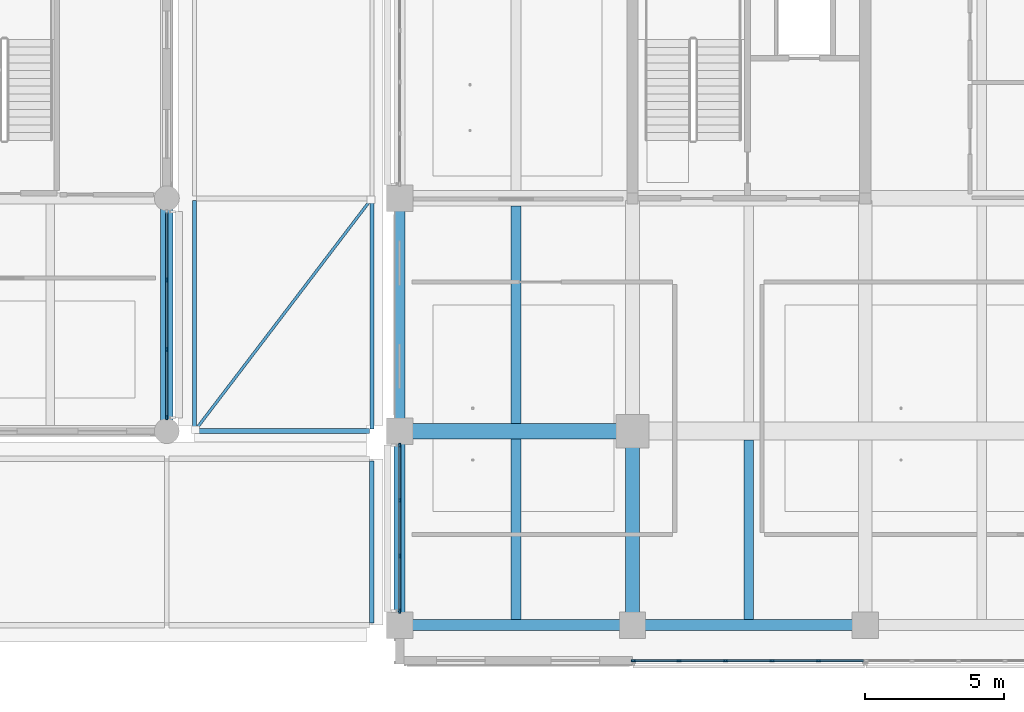
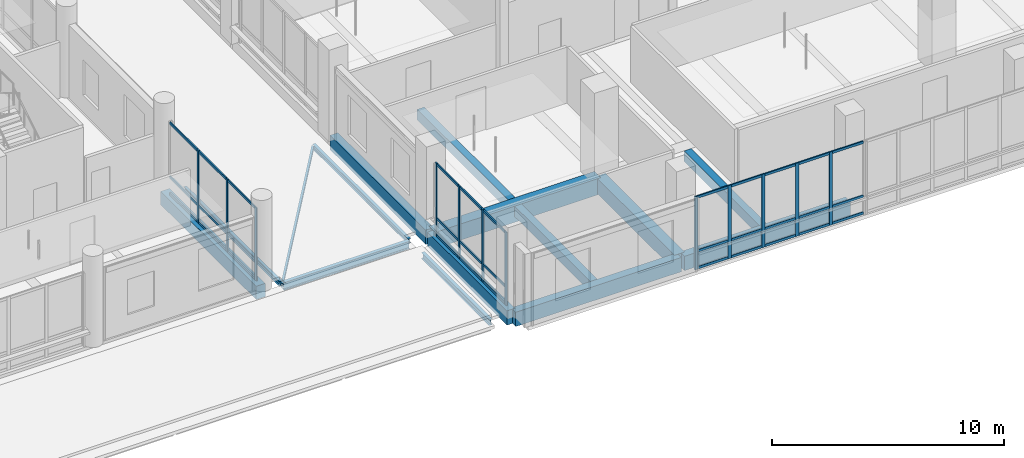
# One storey, part 8 of 128: 46 members, 14 beams, 3 elements without a shape of their own.
"""IFC4 building model written with IfcOpenShell, lengths in metres."""

from ifc_helpers import new_model, si_unit, direction, frame, origin, origin_2d, place, context, subcontext, project, spatial, rectangle, hollow_rectangle, i_section, extrude, material, layer, layer_set, material_profile, profile_set, type_object, element, aggregate, save


model = new_model("IFC4")

# Units and contexts
model_context = context("Model", 3, precision=1e-05, world=origin(), true_north=direction((0.0, 1.0)))
body_context = subcontext(model_context, "Body", "Model", "MODEL_VIEW")
ifc_project = project(units=[si_unit("LENGTHUNIT", "METRE"), si_unit("AREAUNIT", "SQUARE_METRE"), si_unit("VOLUMEUNIT", "CUBIC_METRE"), si_unit("PLANEANGLEUNIT", "RADIAN"), si_unit("MASSUNIT", "GRAM", prefix="KILO")], contexts=[model_context])

# Site, building, storey
site_placement = place(None, origin())
site = spatial("IfcSite", under=ifc_project, at=site_placement, CompositionType="ELEMENT")
building_placement = place(site_placement, origin())
building = spatial("IfcBuilding", under=site, at=building_placement, Name="Telukmera Botanical Conservatory", CompositionType="ELEMENT")
storey_placement = place(building_placement, frame((0.0, 0.0, 5.39990234375)))
storey = spatial("IfcBuildingStorey", under=building, at=storey_placement, Name="L01", CompositionType="ELEMENT", Elevation=5.39990234375)

# Beams
ifc_material_1 = material(Name="Concrete C40/50", Category="concrete")
ifc_material_profile_1 = material_profile(ifc_material_1, rectangle(XDim=0.449951171875, YDim=0.699951171875, at=origin_2d()), Name="RC 450x700")
ifc_profile_set_1 = profile_set([ifc_material_profile_1], Name="Concrete C40/50")
beam_type_1 = type_object("IfcBeamType", Name="Beam_B15", PredefinedType="BEAM", material=ifc_profile_set_1)
beam_1_placement = place(storey_placement, frame((42.0, 17.679931640625, -0.349853515625), z_axis=(0.0, 1.0, 0.0), x_axis=(-1.0, 0.0, 0.0)))
element("IfcBeam", 1, at=beam_1_placement, inside=storey, type_object=beam_type_1, Name="Visitor Wing Transverse Beam L01", PredefinedType="BEAM", context=body_context, shape_type="SweptSolid", body=[
    extrude(rectangle(XDim=0.449951171875, YDim=0.699951171875, at=origin_2d()), origin(), (0.0, 0.0, 1.0), 8.239990234375),
])
ifc_material_profile_2 = material_profile(ifc_material_1, rectangle(XDim=0.35009765625, YDim=0.550048828125, at=origin_2d()), Name="RC 350x550")
ifc_profile_set_2 = profile_set([ifc_material_profile_2], Name="Concrete C40/50")
beam_type_2 = type_object("IfcBeamType", Name="Beam_B21", PredefinedType="JOIST", material=ifc_profile_set_2)
beam_2_placement = place(storey_placement, frame((54.60009765625, 10.800048828125, -0.27490234375), z_axis=(0.0, 1.0, 0.0), x_axis=(-1.0, 0.0, 0.0)))
element("IfcBeam", 2, at=beam_2_placement, inside=storey, type_object=beam_type_2, Name="Tower Secondary Floor Joist L01", PredefinedType="JOIST", context=body_context, shape_type="SweptSolid", body=[
    extrude(rectangle(XDim=0.35009765625, YDim=0.550048828125, at=origin_2d()), origin(), (0.0, 0.0, 1.0), 6.52490234375),
])
beam_3_placement = place(storey_placement, frame((54.60009765625, 17.875, -0.27490234375), z_axis=(0.0, 1.0, 0.0), x_axis=(-1.0, 0.0, 0.0)))
element("IfcBeam", 3, at=beam_3_placement, inside=storey, type_object=beam_type_2, Name="Tower Secondary Floor Joist L01", PredefinedType="JOIST", context=body_context, shape_type="SweptSolid", body=[
    extrude(rectangle(XDim=0.35009765625, YDim=0.550048828125, at=origin_2d()), origin(), (0.0, 0.0, 1.0), 7.85009765625),
])
beam_4_placement = place(storey_placement, frame((63.0, 10.800048828125, -0.27490234375), z_axis=(0.0, 1.0, 0.0), x_axis=(-1.0, 0.0, 0.0)))
element("IfcBeam", 4, at=beam_4_placement, inside=storey, type_object=beam_type_2, Name="Tower Secondary Floor Joist L01", PredefinedType="JOIST", context=body_context, shape_type="SweptSolid", body=[
    extrude(rectangle(XDim=0.35009765625, YDim=0.550048828125, at=origin_2d()), origin(), (0.0, 0.0, 1.0), 6.474853515625),
])
ifc_material_profile_3 = material_profile(ifc_material_1, rectangle(XDim=0.550048828125, YDim=0.85009765625, at=origin_2d()), Name="RC 550x850")
ifc_profile_set_3 = profile_set([ifc_material_profile_3], Name="Concrete C40/50")
beam_type_3 = type_object("IfcBeamType", Name="Beam_B4", PredefinedType="BEAM", material=ifc_profile_set_3)
beam_5_placement = place(storey_placement, frame((50.47998046875, 17.60009765625, -0.4248046875), z_axis=(1.0, 0.0, 0.0), x_axis=(0.0, 1.0, 0.0)))
element("IfcBeam", 5, at=beam_5_placement, inside=storey, type_object=beam_type_3, Name="Tower Grid Beam L01", PredefinedType="BEAM", context=body_context, shape_type="SweptSolid", body=[
    extrude(rectangle(XDim=0.550048828125, YDim=0.85009765625, at=origin_2d()), origin(), (0.0, 0.0, 1.0), 8.239990234375),
])
ifc_material_profile_4 = material_profile(ifc_material_1, rectangle(XDim=0.5, YDim=0.800048828125, at=origin_2d()), Name="RC 500x800")
ifc_profile_set_4 = profile_set([ifc_material_profile_4], Name="Concrete C40/50")
beam_type_4 = type_object("IfcBeamType", Name="Beam_B5", PredefinedType="BEAM", material=ifc_profile_set_4)
beam_6_placement = place(storey_placement, frame((58.800048828125, 10.679931640625, -0.39990234375), z_axis=(0.0, 1.0, 0.0), x_axis=(-1.0, 0.0, 0.0)))
element("IfcBeam", 6, at=beam_6_placement, inside=storey, type_object=beam_type_4, Name="Tower Transverse Beam L01", PredefinedType="BEAM", context=body_context, shape_type="SweptSolid", body=[
    extrude(rectangle(XDim=0.5, YDim=0.800048828125, at=origin_2d()), origin(), (0.0, 0.0, 1.0), 6.840087890625),
])
ifc_material_2 = material(Name="Steel S355", Category="steel")
ifc_material_profile_5 = material_profile(ifc_material_2, i_section(OverallWidth=0.1787109375, OverallDepth=0.409423828125, WebThickness=0.0087890625, FlangeThickness=0.014404296875, FilletRadius=0.01025390625, at=origin_2d()), Name="UB 406x178x67")
ifc_profile_set_5 = profile_set([ifc_material_profile_5], Name="Steel S355")
beam_type_5 = type_object("IfcBeamType", Name="Beam_SB4", PredefinedType="BEAM", material=ifc_profile_set_5)
beam_7_placement = place(storey_placement, frame((43.080078125, 17.60009765625, -0.364501953125), z_axis=(1.0, 0.0, 0.0), x_axis=(0.0, 1.0, 0.0)))
element("IfcBeam", 7, at=beam_7_placement, inside=storey, type_object=beam_type_5, Name="Canopy Steel Girder west_arcade", PredefinedType="BEAM", context=body_context, shape_type="SweptSolid", body=[
    extrude(i_section(OverallWidth=0.1787109375, OverallDepth=0.409423828125, WebThickness=0.0087890625, FlangeThickness=0.014404296875, FilletRadius=0.01025390625, at=origin_2d()), origin(), (0.0, 0.0, 1.0), 6.239990234375),
])
ifc_material_profile_6 = material_profile(ifc_material_2, i_section(OverallWidth=0.165771484375, OverallDepth=0.306640625, WebThickness=0.006591796875, FlangeThickness=0.01171875, FilletRadius=0.0087890625, at=origin_2d()), Name="UB 305x165x46")
ifc_profile_set_6 = profile_set([ifc_material_profile_6], Name="Steel S355")
beam_type_6 = type_object("IfcBeamType", Name="Beam_SB6", PredefinedType="JOIST", material=ifc_profile_set_6)
beam_8_placement = place(storey_placement, frame((49.39990234375, 10.679931640625, -0.313232421875), z_axis=(0.0, 1.0, 0.0), x_axis=(-1.0, 0.0, 0.0)))
element("IfcBeam", 8, at=beam_8_placement, inside=storey, type_object=beam_type_6, Name="Canopy Steel Purlin forecourt", PredefinedType="JOIST", context=body_context, shape_type="SweptSolid", body=[
    extrude(i_section(OverallWidth=0.165771484375, OverallDepth=0.306640625, WebThickness=0.006591796875, FlangeThickness=0.01171875, FilletRadius=0.0087890625, at=origin_2d()), origin(), (0.0, 0.0, 1.0), 5.840087890625),
])
ifc_material_profile_7 = material_profile(ifc_material_2, i_section(OverallWidth=0.146484375, OverallDepth=0.256103515625, WebThickness=0.00634765625, FlangeThickness=0.010986328125, FilletRadius=0.007568359375, at=origin_2d()), Name="UB 254x146x37")
ifc_profile_set_7 = profile_set([ifc_material_profile_7], Name="Steel S355")
beam_type_7 = type_object("IfcBeamType", Name="Beam_SB7", PredefinedType="JOIST", material=ifc_profile_set_7)
for number, where, z_axis, x_axis, name in (
    (9, (43.0, 17.679931640625, -0.287841796875), (0.0, 1.0, 0.0), (-1.0, 0.0, 0.0), "Canopy Steel Purlin west_arcade"),
    (10, (49.39990234375, 17.679931640625, -0.287841796875), (0.0, 1.0, 0.0), (-1.0, 0.0, 0.0), "Canopy Steel Purlin west_arcade"),
):
    element("IfcBeam", number, at=place(storey_placement, frame(where, z_axis=z_axis, x_axis=x_axis)), inside=storey, type_object=beam_type_7, Name=name, PredefinedType="JOIST", context=body_context, shape_type="SweptSolid", body=[
        extrude(i_section(OverallWidth=0.146484375, OverallDepth=0.256103515625, WebThickness=0.00634765625, FlangeThickness=0.010986328125, FilletRadius=0.007568359375, at=origin_2d()), origin(), (0.0, 0.0, 1.0), 8.239990234375),
    ])
ifc_material_3 = material(Name="Precast concrete C40/50", Category="concrete")
ifc_material_profile_8 = material_profile(ifc_material_3, rectangle(XDim=0.39990234375, YDim=0.75, at=origin_2d()), Name="PC 400x750")
ifc_profile_set_8 = profile_set([ifc_material_profile_8], Name="Precast concrete C40/50")
beam_type_8 = type_object("IfcBeamType", Name="Beam_SP1", PredefinedType="SPANDREL", material=ifc_profile_set_8)
beam_9_placement = place(storey_placement, frame((50.47998046875, 10.60009765625, -0.375), z_axis=(1.0, 0.0, 0.0), x_axis=(0.0, 1.0, 0.0)))
element("IfcBeam", 11, at=beam_9_placement, inside=storey, type_object=beam_type_8, Name="Tower Grid Beam L01", PredefinedType="SPANDREL", context=body_context, shape_type="SweptSolid", body=[
    extrude(rectangle(XDim=0.39990234375, YDim=0.75, at=origin_2d()), origin(), (0.0, 0.0, 1.0), 8.239990234375),
])
beam_10_placement = place(storey_placement, frame((58.8798828125, 10.60009765625, -0.375), z_axis=(1.0, 0.0, 0.0), x_axis=(0.0, 1.0, 0.0)))
element("IfcBeam", 12, at=beam_10_placement, inside=storey, type_object=beam_type_8, Name="Tower Grid Beam L01", PredefinedType="SPANDREL", context=body_context, shape_type="SweptSolid", body=[
    extrude(rectangle(XDim=0.39990234375, YDim=0.75, at=origin_2d()), origin(), (0.0, 0.0, 1.0), 8.240234375),
])
beam_11_placement = place(storey_placement, frame((50.39990234375, 10.679931640625, -0.375), z_axis=(0.0, 1.0, 0.0), x_axis=(-1.0, 0.0, 0.0)))
element("IfcBeam", 13, at=beam_11_placement, inside=storey, type_object=beam_type_8, Name="Tower Transverse Beam L01", PredefinedType="SPANDREL", context=body_context, shape_type="SweptSolid", body=[
    extrude(rectangle(XDim=0.39990234375, YDim=0.75, at=origin_2d()), origin(), (0.0, 0.0, 1.0), 6.840087890625),
])
beam_12_placement = place(storey_placement, frame((50.39990234375, 17.679931640625, -0.375), z_axis=(0.0, 1.0, 0.0), x_axis=(-1.0, 0.0, 0.0)))
element("IfcBeam", 14, at=beam_12_placement, inside=storey, type_object=beam_type_8, Name="Tower Transverse Beam L01", PredefinedType="SPANDREL", context=body_context, shape_type="SweptSolid", body=[
    extrude(rectangle(XDim=0.39990234375, YDim=0.75, at=origin_2d()), origin(), (0.0, 0.0, 1.0), 8.239990234375),
])

# Curtain wall, members
ifc_material_4 = material(Name="Anodised aluminium 6063-T6", Category="aluminium")
ifc_layer_1 = layer(ifc_material_4, 0.179931640625)
ifc_layer_set_1 = layer_set([ifc_layer_1], Name="Anodised aluminium 6063-T6")
curtain_wall_type_1 = type_object("IfcCurtainWallType", Name="Visitor Gallery Second Floor Curtain Wall 2400 Mod", PredefinedType="USERDEFINED", material=ifc_layer_set_1)
curtain_wall_1_placement = place(storey_placement, origin())
curtain_wall_1 = element("IfcCurtainWall", 15, at=curtain_wall_1_placement, inside=storey, type_object=curtain_wall_type_1, Name="Unitised Curtain Wall CW09 V3:L01:E1", ObjectType="UNITISED CURTAIN WALL", PredefinedType="USERDEFINED")
ifc_material_profile_9 = material_profile(ifc_material_4, rectangle(XDim=0.06494140625, YDim=0.159912109375, at=origin_2d()), Name="ALU MULL 65x160")
ifc_profile_set_9 = profile_set([ifc_material_profile_9], Name="Anodised aluminium 6063-T6")
member_type_1 = type_object("IfcMemberType", Name="Curtain Wall Extruded Mullion 65x160", PredefinedType="MULLION", material=ifc_profile_set_9)
member_1_placement = place(storey_placement, frame((42.0, 18.08447265625, 0.0), z_axis=(0.0, 0.0, 1.0), x_axis=(-1.0, 0.0, 0.0)))
member_1 = element("IfcMember", 16, at=member_1_placement, type_object=member_type_1, Name="CW09 mullion 1", PredefinedType="MULLION", context=body_context, shape_type="SweptSolid", body=[
    extrude(rectangle(XDim=0.06494140625, YDim=0.159912109375, at=origin_2d()), origin(), (0.0, 0.0, 1.0), 3.85009765625),
])
member_2_placement = place(storey_placement, frame((42.0, 20.55078125, 0.0), z_axis=(0.0, 0.0, 1.0), x_axis=(-1.0, 0.0, 0.0)))
member_2 = element("IfcMember", 17, at=member_2_placement, type_object=member_type_1, Name="CW09 mullion 2", PredefinedType="MULLION", context=body_context, shape_type="SweptSolid", body=[
    extrude(rectangle(XDim=0.06494140625, YDim=0.159912109375, at=origin_2d()), origin(), (0.0, 0.0, 1.0), 3.85009765625),
])
member_3_placement = place(storey_placement, frame((42.0, 23.04931640625, 0.0), z_axis=(0.0, 0.0, 1.0), x_axis=(-1.0, 0.0, 0.0)))
member_3 = element("IfcMember", 18, at=member_3_placement, type_object=member_type_1, Name="CW09 mullion 3", PredefinedType="MULLION", context=body_context, shape_type="SweptSolid", body=[
    extrude(rectangle(XDim=0.06494140625, YDim=0.159912109375, at=origin_2d()), origin(), (0.0, 0.0, 1.0), 3.85009765625),
])

ifc_layer_2 = layer(ifc_material_4, 0.179931640625)
ifc_layer_set_2 = layer_set([ifc_layer_2], Name="Anodised aluminium 6063-T6")
curtain_wall_type_2 = type_object("IfcCurtainWallType", Name="Tower Reference Library Curtain Wall", PredefinedType="USERDEFINED", material=ifc_layer_set_2)
curtain_wall_2_placement = place(storey_placement, origin())
curtain_wall_2 = element("IfcCurtainWall", 19, at=curtain_wall_2_placement, inside=storey, type_object=curtain_wall_type_2, Name="Unitised Curtain Wall CW13 V4:L01:S2", ObjectType="UNITISED CURTAIN WALL", PredefinedType="USERDEFINED")
member_4_placement = place(storey_placement, frame((58.83447265625, 9.320068359375, 0.0), z_axis=(0.0, 0.0, 1.0), x_axis=(0.0, 1.0, 0.0)))
member_4 = element("IfcMember", 20, at=member_4_placement, type_object=member_type_1, Name="CW13 mullion 1", PredefinedType="MULLION", context=body_context, shape_type="SweptSolid", body=[
    extrude(rectangle(XDim=0.06494140625, YDim=0.159912109375, at=origin_2d()), origin(), (0.0, 0.0, 1.0), 3.85009765625),
])
member_5_placement = place(storey_placement, frame((60.481201171875, 9.320068359375, 0.0), z_axis=(0.0, 0.0, 1.0), x_axis=(0.0, 1.0, 0.0)))
member_5 = element("IfcMember", 21, at=member_5_placement, type_object=member_type_1, Name="CW13 mullion 2", PredefinedType="MULLION", context=body_context, shape_type="SweptSolid", body=[
    extrude(rectangle(XDim=0.06494140625, YDim=0.159912109375, at=origin_2d()), origin(), (0.0, 0.0, 1.0), 3.85009765625),
])
member_6_placement = place(storey_placement, frame((62.160400390625, 9.320068359375, 0.0), z_axis=(0.0, 0.0, 1.0), x_axis=(0.0, 1.0, 0.0)))
member_6 = element("IfcMember", 22, at=member_6_placement, type_object=member_type_1, Name="CW13 mullion 3", PredefinedType="MULLION", context=body_context, shape_type="SweptSolid", body=[
    extrude(rectangle(XDim=0.06494140625, YDim=0.159912109375, at=origin_2d()), origin(), (0.0, 0.0, 1.0), 3.85009765625),
])
member_7_placement = place(storey_placement, frame((63.839599609375, 9.320068359375, 0.0), z_axis=(0.0, 0.0, 1.0), x_axis=(0.0, 1.0, 0.0)))
member_7 = element("IfcMember", 23, at=member_7_placement, type_object=member_type_1, Name="CW13 mullion 4", PredefinedType="MULLION", context=body_context, shape_type="SweptSolid", body=[
    extrude(rectangle(XDim=0.06494140625, YDim=0.159912109375, at=origin_2d()), origin(), (0.0, 0.0, 1.0), 3.85009765625),
])
member_8_placement = place(storey_placement, frame((65.518798828125, 9.320068359375, 0.0), z_axis=(0.0, 0.0, 1.0), x_axis=(0.0, 1.0, 0.0)))
member_8 = element("IfcMember", 24, at=member_8_placement, type_object=member_type_1, Name="CW13 mullion 5", PredefinedType="MULLION", context=body_context, shape_type="SweptSolid", body=[
    extrude(rectangle(XDim=0.06494140625, YDim=0.159912109375, at=origin_2d()), origin(), (0.0, 0.0, 1.0), 3.85009765625),
])

curtain_wall_3_placement = place(storey_placement, origin())
curtain_wall_3 = element("IfcCurtainWall", 25, at=curtain_wall_3_placement, inside=storey, type_object=curtain_wall_type_2, Name="Unitised Curtain Wall CW13 V4:L01:W1", ObjectType="UNITISED CURTAIN WALL", PredefinedType="USERDEFINED")
member_9_placement = place(storey_placement, frame((50.39990234375, 11.109619140625, 0.0), z_axis=(0.0, 0.0, 1.0), x_axis=(-1.0, 0.0, 0.0)))
member_9 = element("IfcMember", 26, at=member_9_placement, type_object=member_type_1, Name="CW13 mullion 1", PredefinedType="MULLION", context=body_context, shape_type="SweptSolid", body=[
    extrude(rectangle(XDim=0.06494140625, YDim=0.159912109375, at=origin_2d()), origin(), (0.0, 0.0, 1.0), 3.85009765625),
])
member_10_placement = place(storey_placement, frame((50.39990234375, 13.09228515625, 0.0), z_axis=(0.0, 0.0, 1.0), x_axis=(-1.0, 0.0, 0.0)))
member_10 = element("IfcMember", 27, at=member_10_placement, type_object=member_type_1, Name="CW13 mullion 2", PredefinedType="MULLION", context=body_context, shape_type="SweptSolid", body=[
    extrude(rectangle(XDim=0.06494140625, YDim=0.159912109375, at=origin_2d()), origin(), (0.0, 0.0, 1.0), 3.85009765625),
])
member_11_placement = place(storey_placement, frame((50.39990234375, 15.107666015625, 0.0), z_axis=(0.0, 0.0, 1.0), x_axis=(-1.0, 0.0, 0.0)))
member_11 = element("IfcMember", 28, at=member_11_placement, type_object=member_type_1, Name="CW13 mullion 3", PredefinedType="MULLION", context=body_context, shape_type="SweptSolid", body=[
    extrude(rectangle(XDim=0.06494140625, YDim=0.159912109375, at=origin_2d()), origin(), (0.0, 0.0, 1.0), 3.85009765625),
])
member_12_placement = place(storey_placement, frame((50.39990234375, 17.090576171875, 0.0), z_axis=(0.0, 0.0, 1.0), x_axis=(-1.0, 0.0, 0.0)))
member_12 = element("IfcMember", 29, at=member_12_placement, type_object=member_type_1, Name="CW13 mullion 4", PredefinedType="MULLION", context=body_context, shape_type="SweptSolid", body=[
    extrude(rectangle(XDim=0.06494140625, YDim=0.159912109375, at=origin_2d()), origin(), (0.0, 0.0, 1.0), 3.85009765625),
])

# Member
ifc_material_profile_10 = material_profile(ifc_material_4, rectangle(XDim=0.06494140625, YDim=0.1298828125, at=origin_2d()), Name="ALU TRAN 65x130")
ifc_profile_set_10 = profile_set([ifc_material_profile_10], Name="Anodised aluminium 6063-T6")
member_type_2 = type_object("IfcMemberType", Name="Curtain Wall Extruded Transom 65x130", PredefinedType="USERDEFINED", material=ifc_profile_set_10)
member_13_placement = place(storey_placement, frame((42.0, 18.116943359375, 0.065185546875), z_axis=(0.0, 1.0, 0.0), x_axis=(-1.0, 0.0, 0.0)))
member_13 = element("IfcMember", 30, at=member_13_placement, type_object=member_type_2, Name="CW09 transom 1.1", ObjectType="TRANSOM", PredefinedType="USERDEFINED", context=body_context, shape_type="SweptSolid", body=[
    extrude(rectangle(XDim=0.06494140625, YDim=0.1298828125, at=origin_2d()), origin(), (0.0, 0.0, 1.0), 2.401123046875),
])

member_14_placement = place(storey_placement, frame((42.0, 18.116943359375, 0.9501953125), z_axis=(0.0, 1.0, 0.0), x_axis=(-1.0, 0.0, 0.0)))
member_14 = element("IfcMember", 31, at=member_14_placement, type_object=member_type_2, Name="CW09 transom 1.2", ObjectType="TRANSOM", PredefinedType="USERDEFINED", context=body_context, shape_type="SweptSolid", body=[
    extrude(rectangle(XDim=0.06494140625, YDim=0.1298828125, at=origin_2d()), origin(), (0.0, 0.0, 1.0), 2.401123046875),
])

member_15_placement = place(storey_placement, frame((42.0, 18.116943359375, 3.78515625), z_axis=(0.0, 1.0, 0.0), x_axis=(-1.0, 0.0, 0.0)))
member_15 = element("IfcMember", 32, at=member_15_placement, type_object=member_type_2, Name="CW09 transom 1.3", ObjectType="TRANSOM", PredefinedType="USERDEFINED", context=body_context, shape_type="SweptSolid", body=[
    extrude(rectangle(XDim=0.06494140625, YDim=0.1298828125, at=origin_2d()), origin(), (0.0, 0.0, 1.0), 2.401123046875),
])

member_16_placement = place(storey_placement, frame((42.0, 20.583251953125, 0.065185546875), z_axis=(0.0, 1.0, 0.0), x_axis=(-1.0, 0.0, 0.0)))
member_16 = element("IfcMember", 33, at=member_16_placement, type_object=member_type_2, Name="CW09 transom 2.1", ObjectType="TRANSOM", PredefinedType="USERDEFINED", context=body_context, shape_type="SweptSolid", body=[
    extrude(rectangle(XDim=0.06494140625, YDim=0.1298828125, at=origin_2d()), origin(), (0.0, 0.0, 1.0), 2.43359375),
])

member_17_placement = place(storey_placement, frame((42.0, 20.583251953125, 0.9501953125), z_axis=(0.0, 1.0, 0.0), x_axis=(-1.0, 0.0, 0.0)))
member_17 = element("IfcMember", 34, at=member_17_placement, type_object=member_type_2, Name="CW09 transom 2.2", ObjectType="TRANSOM", PredefinedType="USERDEFINED", context=body_context, shape_type="SweptSolid", body=[
    extrude(rectangle(XDim=0.06494140625, YDim=0.1298828125, at=origin_2d()), origin(), (0.0, 0.0, 1.0), 2.43359375),
])

member_18_placement = place(storey_placement, frame((42.0, 20.583251953125, 3.78515625), z_axis=(0.0, 1.0, 0.0), x_axis=(-1.0, 0.0, 0.0)))
member_18 = element("IfcMember", 35, at=member_18_placement, type_object=member_type_2, Name="CW09 transom 2.3", ObjectType="TRANSOM", PredefinedType="USERDEFINED", context=body_context, shape_type="SweptSolid", body=[
    extrude(rectangle(XDim=0.06494140625, YDim=0.1298828125, at=origin_2d()), origin(), (0.0, 0.0, 1.0), 2.43359375),
])

member_19_placement = place(storey_placement, frame((42.0, 23.081787109375, 0.065185546875), z_axis=(0.0, 1.0, 0.0), x_axis=(-1.0, 0.0, 0.0)))
member_19 = element("IfcMember", 36, at=member_19_placement, type_object=member_type_2, Name="CW09 transom 3.1", ObjectType="TRANSOM", PredefinedType="USERDEFINED", context=body_context, shape_type="SweptSolid", body=[
    extrude(rectangle(XDim=0.06494140625, YDim=0.1298828125, at=origin_2d()), origin(), (0.0, 0.0, 1.0), 2.401123046875),
])

member_20_placement = place(storey_placement, frame((42.0, 23.081787109375, 0.9501953125), z_axis=(0.0, 1.0, 0.0), x_axis=(-1.0, 0.0, 0.0)))
member_20 = element("IfcMember", 37, at=member_20_placement, type_object=member_type_2, Name="CW09 transom 3.2", ObjectType="TRANSOM", PredefinedType="USERDEFINED", context=body_context, shape_type="SweptSolid", body=[
    extrude(rectangle(XDim=0.06494140625, YDim=0.1298828125, at=origin_2d()), origin(), (0.0, 0.0, 1.0), 2.401123046875),
])

member_21_placement = place(storey_placement, frame((42.0, 23.081787109375, 3.78515625), z_axis=(0.0, 1.0, 0.0), x_axis=(-1.0, 0.0, 0.0)))
member_21 = element("IfcMember", 38, at=member_21_placement, type_object=member_type_2, Name="CW09 transom 3.3", ObjectType="TRANSOM", PredefinedType="USERDEFINED", context=body_context, shape_type="SweptSolid", body=[
    extrude(rectangle(XDim=0.06494140625, YDim=0.1298828125, at=origin_2d()), origin(), (0.0, 0.0, 1.0), 2.401123046875),
])

aggregate(curtain_wall_1, [member_1, member_2, member_3, member_13, member_14, member_15, member_16, member_17, member_18, member_19, member_20, member_21])

member_22_placement = place(storey_placement, frame((58.866943359375, 9.320068359375, 0.065185546875), z_axis=(1.0, 0.0, 0.0), x_axis=(0.0, 1.0, 0.0)))
member_22 = element("IfcMember", 39, at=member_22_placement, type_object=member_type_2, Name="CW13 transom 1.1", ObjectType="TRANSOM", PredefinedType="USERDEFINED", context=body_context, shape_type="SweptSolid", body=[
    extrude(rectangle(XDim=0.06494140625, YDim=0.1298828125, at=origin_2d()), origin(), (0.0, 0.0, 1.0), 1.581787109375),
])

member_23_placement = place(storey_placement, frame((58.866943359375, 9.320068359375, 0.9501953125), z_axis=(1.0, 0.0, 0.0), x_axis=(0.0, 1.0, 0.0)))
member_23 = element("IfcMember", 40, at=member_23_placement, type_object=member_type_2, Name="CW13 transom 1.2", ObjectType="TRANSOM", PredefinedType="USERDEFINED", context=body_context, shape_type="SweptSolid", body=[
    extrude(rectangle(XDim=0.06494140625, YDim=0.1298828125, at=origin_2d()), origin(), (0.0, 0.0, 1.0), 1.581787109375),
])

member_24_placement = place(storey_placement, frame((58.866943359375, 9.320068359375, 3.78515625), z_axis=(1.0, 0.0, 0.0), x_axis=(0.0, 1.0, 0.0)))
member_24 = element("IfcMember", 41, at=member_24_placement, type_object=member_type_2, Name="CW13 transom 1.3", ObjectType="TRANSOM", PredefinedType="USERDEFINED", context=body_context, shape_type="SweptSolid", body=[
    extrude(rectangle(XDim=0.06494140625, YDim=0.1298828125, at=origin_2d()), origin(), (0.0, 0.0, 1.0), 1.581787109375),
])

member_25_placement = place(storey_placement, frame((60.513671875, 9.320068359375, 0.065185546875), z_axis=(1.0, 0.0, 0.0), x_axis=(0.0, 1.0, 0.0)))
member_25 = element("IfcMember", 42, at=member_25_placement, type_object=member_type_2, Name="CW13 transom 2.1", ObjectType="TRANSOM", PredefinedType="USERDEFINED", context=body_context, shape_type="SweptSolid", body=[
    extrude(rectangle(XDim=0.06494140625, YDim=0.1298828125, at=origin_2d()), origin(), (0.0, 0.0, 1.0), 1.6142578125),
])

member_26_placement = place(storey_placement, frame((60.513671875, 9.320068359375, 0.9501953125), z_axis=(1.0, 0.0, 0.0), x_axis=(0.0, 1.0, 0.0)))
member_26 = element("IfcMember", 43, at=member_26_placement, type_object=member_type_2, Name="CW13 transom 2.2", ObjectType="TRANSOM", PredefinedType="USERDEFINED", context=body_context, shape_type="SweptSolid", body=[
    extrude(rectangle(XDim=0.06494140625, YDim=0.1298828125, at=origin_2d()), origin(), (0.0, 0.0, 1.0), 1.6142578125),
])

member_27_placement = place(storey_placement, frame((60.513671875, 9.320068359375, 3.78515625), z_axis=(1.0, 0.0, 0.0), x_axis=(0.0, 1.0, 0.0)))
member_27 = element("IfcMember", 44, at=member_27_placement, type_object=member_type_2, Name="CW13 transom 2.3", ObjectType="TRANSOM", PredefinedType="USERDEFINED", context=body_context, shape_type="SweptSolid", body=[
    extrude(rectangle(XDim=0.06494140625, YDim=0.1298828125, at=origin_2d()), origin(), (0.0, 0.0, 1.0), 1.6142578125),
])

member_28_placement = place(storey_placement, frame((62.19287109375, 9.320068359375, 0.065185546875), z_axis=(1.0, 0.0, 0.0), x_axis=(0.0, 1.0, 0.0)))
member_28 = element("IfcMember", 45, at=member_28_placement, type_object=member_type_2, Name="CW13 transom 3.1", ObjectType="TRANSOM", PredefinedType="USERDEFINED", context=body_context, shape_type="SweptSolid", body=[
    extrude(rectangle(XDim=0.06494140625, YDim=0.1298828125, at=origin_2d()), origin(), (0.0, 0.0, 1.0), 1.6142578125),
])

member_29_placement = place(storey_placement, frame((62.19287109375, 9.320068359375, 0.9501953125), z_axis=(1.0, 0.0, 0.0), x_axis=(0.0, 1.0, 0.0)))
member_29 = element("IfcMember", 46, at=member_29_placement, type_object=member_type_2, Name="CW13 transom 3.2", ObjectType="TRANSOM", PredefinedType="USERDEFINED", context=body_context, shape_type="SweptSolid", body=[
    extrude(rectangle(XDim=0.06494140625, YDim=0.1298828125, at=origin_2d()), origin(), (0.0, 0.0, 1.0), 1.6142578125),
])

member_30_placement = place(storey_placement, frame((62.19287109375, 9.320068359375, 3.78515625), z_axis=(1.0, 0.0, 0.0), x_axis=(0.0, 1.0, 0.0)))
member_30 = element("IfcMember", 47, at=member_30_placement, type_object=member_type_2, Name="CW13 transom 3.3", ObjectType="TRANSOM", PredefinedType="USERDEFINED", context=body_context, shape_type="SweptSolid", body=[
    extrude(rectangle(XDim=0.06494140625, YDim=0.1298828125, at=origin_2d()), origin(), (0.0, 0.0, 1.0), 1.6142578125),
])

member_31_placement = place(storey_placement, frame((63.8720703125, 9.320068359375, 0.065185546875), z_axis=(1.0, 0.0, 0.0), x_axis=(0.0, 1.0, 0.0)))
member_31 = element("IfcMember", 48, at=member_31_placement, type_object=member_type_2, Name="CW13 transom 4.1", ObjectType="TRANSOM", PredefinedType="USERDEFINED", context=body_context, shape_type="SweptSolid", body=[
    extrude(rectangle(XDim=0.06494140625, YDim=0.1298828125, at=origin_2d()), origin(), (0.0, 0.0, 1.0), 1.6142578125),
])

member_32_placement = place(storey_placement, frame((63.8720703125, 9.320068359375, 0.9501953125), z_axis=(1.0, 0.0, 0.0), x_axis=(0.0, 1.0, 0.0)))
member_32 = element("IfcMember", 49, at=member_32_placement, type_object=member_type_2, Name="CW13 transom 4.2", ObjectType="TRANSOM", PredefinedType="USERDEFINED", context=body_context, shape_type="SweptSolid", body=[
    extrude(rectangle(XDim=0.06494140625, YDim=0.1298828125, at=origin_2d()), origin(), (0.0, 0.0, 1.0), 1.6142578125),
])

member_33_placement = place(storey_placement, frame((63.8720703125, 9.320068359375, 3.78515625), z_axis=(1.0, 0.0, 0.0), x_axis=(0.0, 1.0, 0.0)))
member_33 = element("IfcMember", 50, at=member_33_placement, type_object=member_type_2, Name="CW13 transom 4.3", ObjectType="TRANSOM", PredefinedType="USERDEFINED", context=body_context, shape_type="SweptSolid", body=[
    extrude(rectangle(XDim=0.06494140625, YDim=0.1298828125, at=origin_2d()), origin(), (0.0, 0.0, 1.0), 1.6142578125),
])

member_34_placement = place(storey_placement, frame((65.55126953125, 9.320068359375, 0.065185546875), z_axis=(1.0, 0.0, 0.0), x_axis=(0.0, 1.0, 0.0)))
member_34 = element("IfcMember", 51, at=member_34_placement, type_object=member_type_2, Name="CW13 transom 5.1", ObjectType="TRANSOM", PredefinedType="USERDEFINED", context=body_context, shape_type="SweptSolid", body=[
    extrude(rectangle(XDim=0.06494140625, YDim=0.1298828125, at=origin_2d()), origin(), (0.0, 0.0, 1.0), 1.581787109375),
])

member_35_placement = place(storey_placement, frame((65.55126953125, 9.320068359375, 0.9501953125), z_axis=(1.0, 0.0, 0.0), x_axis=(0.0, 1.0, 0.0)))
member_35 = element("IfcMember", 52, at=member_35_placement, type_object=member_type_2, Name="CW13 transom 5.2", ObjectType="TRANSOM", PredefinedType="USERDEFINED", context=body_context, shape_type="SweptSolid", body=[
    extrude(rectangle(XDim=0.06494140625, YDim=0.1298828125, at=origin_2d()), origin(), (0.0, 0.0, 1.0), 1.581787109375),
])

member_36_placement = place(storey_placement, frame((65.55126953125, 9.320068359375, 3.78515625), z_axis=(1.0, 0.0, 0.0), x_axis=(0.0, 1.0, 0.0)))
member_36 = element("IfcMember", 53, at=member_36_placement, type_object=member_type_2, Name="CW13 transom 5.3", ObjectType="TRANSOM", PredefinedType="USERDEFINED", context=body_context, shape_type="SweptSolid", body=[
    extrude(rectangle(XDim=0.06494140625, YDim=0.1298828125, at=origin_2d()), origin(), (0.0, 0.0, 1.0), 1.581787109375),
])

aggregate(curtain_wall_2, [member_4, member_5, member_6, member_7, member_8, member_22, member_23, member_24, member_25, member_26, member_27, member_28, member_29, member_30, member_31, member_32, member_33, member_34, member_35, member_36])

member_37_placement = place(storey_placement, frame((50.39990234375, 11.14208984375, 0.065185546875), z_axis=(0.0, 1.0, 0.0), x_axis=(-1.0, 0.0, 0.0)))
member_37 = element("IfcMember", 54, at=member_37_placement, type_object=member_type_2, Name="CW13 transom 1.1", ObjectType="TRANSOM", PredefinedType="USERDEFINED", context=body_context, shape_type="SweptSolid", body=[
    extrude(rectangle(XDim=0.06494140625, YDim=0.1298828125, at=origin_2d()), origin(), (0.0, 0.0, 1.0), 1.917724609375),
])

member_38_placement = place(storey_placement, frame((50.39990234375, 11.14208984375, 0.9501953125), z_axis=(0.0, 1.0, 0.0), x_axis=(-1.0, 0.0, 0.0)))
member_38 = element("IfcMember", 55, at=member_38_placement, type_object=member_type_2, Name="CW13 transom 1.2", ObjectType="TRANSOM", PredefinedType="USERDEFINED", context=body_context, shape_type="SweptSolid", body=[
    extrude(rectangle(XDim=0.06494140625, YDim=0.1298828125, at=origin_2d()), origin(), (0.0, 0.0, 1.0), 1.917724609375),
])

member_39_placement = place(storey_placement, frame((50.39990234375, 11.14208984375, 3.78515625), z_axis=(0.0, 1.0, 0.0), x_axis=(-1.0, 0.0, 0.0)))
member_39 = element("IfcMember", 56, at=member_39_placement, type_object=member_type_2, Name="CW13 transom 1.3", ObjectType="TRANSOM", PredefinedType="USERDEFINED", context=body_context, shape_type="SweptSolid", body=[
    extrude(rectangle(XDim=0.06494140625, YDim=0.1298828125, at=origin_2d()), origin(), (0.0, 0.0, 1.0), 1.917724609375),
])

member_40_placement = place(storey_placement, frame((50.39990234375, 13.124755859375, 0.065185546875), z_axis=(0.0, 1.0, 0.0), x_axis=(-1.0, 0.0, 0.0)))
member_40 = element("IfcMember", 57, at=member_40_placement, type_object=member_type_2, Name="CW13 transom 2.1", ObjectType="TRANSOM", PredefinedType="USERDEFINED", context=body_context, shape_type="SweptSolid", body=[
    extrude(rectangle(XDim=0.06494140625, YDim=0.1298828125, at=origin_2d()), origin(), (0.0, 0.0, 1.0), 1.950439453125),
])

member_41_placement = place(storey_placement, frame((50.39990234375, 13.124755859375, 0.9501953125), z_axis=(0.0, 1.0, 0.0), x_axis=(-1.0, 0.0, 0.0)))
member_41 = element("IfcMember", 58, at=member_41_placement, type_object=member_type_2, Name="CW13 transom 2.2", ObjectType="TRANSOM", PredefinedType="USERDEFINED", context=body_context, shape_type="SweptSolid", body=[
    extrude(rectangle(XDim=0.06494140625, YDim=0.1298828125, at=origin_2d()), origin(), (0.0, 0.0, 1.0), 1.950439453125),
])

member_42_placement = place(storey_placement, frame((50.39990234375, 13.124755859375, 3.78515625), z_axis=(0.0, 1.0, 0.0), x_axis=(-1.0, 0.0, 0.0)))
member_42 = element("IfcMember", 59, at=member_42_placement, type_object=member_type_2, Name="CW13 transom 2.3", ObjectType="TRANSOM", PredefinedType="USERDEFINED", context=body_context, shape_type="SweptSolid", body=[
    extrude(rectangle(XDim=0.06494140625, YDim=0.1298828125, at=origin_2d()), origin(), (0.0, 0.0, 1.0), 1.950439453125),
])

member_43_placement = place(storey_placement, frame((50.39990234375, 15.14013671875, 0.065185546875), z_axis=(0.0, 1.0, 0.0), x_axis=(-1.0, 0.0, 0.0)))
member_43 = element("IfcMember", 60, at=member_43_placement, type_object=member_type_2, Name="CW13 transom 3.1", ObjectType="TRANSOM", PredefinedType="USERDEFINED", context=body_context, shape_type="SweptSolid", body=[
    extrude(rectangle(XDim=0.06494140625, YDim=0.1298828125, at=origin_2d()), origin(), (0.0, 0.0, 1.0), 1.91796875),
])

member_44_placement = place(storey_placement, frame((50.39990234375, 15.14013671875, 0.9501953125), z_axis=(0.0, 1.0, 0.0), x_axis=(-1.0, 0.0, 0.0)))
member_44 = element("IfcMember", 61, at=member_44_placement, type_object=member_type_2, Name="CW13 transom 3.2", ObjectType="TRANSOM", PredefinedType="USERDEFINED", context=body_context, shape_type="SweptSolid", body=[
    extrude(rectangle(XDim=0.06494140625, YDim=0.1298828125, at=origin_2d()), origin(), (0.0, 0.0, 1.0), 1.91796875),
])

member_45_placement = place(storey_placement, frame((50.39990234375, 15.14013671875, 3.78515625), z_axis=(0.0, 1.0, 0.0), x_axis=(-1.0, 0.0, 0.0)))
member_45 = element("IfcMember", 62, at=member_45_placement, type_object=member_type_2, Name="CW13 transom 3.3", ObjectType="TRANSOM", PredefinedType="USERDEFINED", context=body_context, shape_type="SweptSolid", body=[
    extrude(rectangle(XDim=0.06494140625, YDim=0.1298828125, at=origin_2d()), origin(), (0.0, 0.0, 1.0), 1.91796875),
])

aggregate(curtain_wall_3, [member_9, member_10, member_11, member_12, member_37, member_38, member_39, member_40, member_41, member_42, member_43, member_44, member_45])

ifc_material_profile_11 = material_profile(ifc_material_2, hollow_rectangle(XDim=0.10009765625, YDim=0.199951171875, WallThickness=0.00634765625, at=origin_2d()), Name="RHS 200x100x6.3")
ifc_profile_set_11 = profile_set([ifc_material_profile_11], Name="Steel S355")
member_type_3 = type_object("IfcMemberType", Name="Mem_TD3", PredefinedType="BRACE", material=ifc_profile_set_11)
member_46_placement = place(storey_placement, frame((43.036376953125, 17.647705078125, -0.3798828125), z_axis=(0.606029124161, 0.795442455913, 0.0), x_axis=(-0.795442455913, 0.606029124161, 0.0)))
element("IfcMember", 63, at=member_46_placement, inside=storey, type_object=member_type_3, Name="Canopy Plan Wind Brace west_arcade", PredefinedType="BRACE", context=body_context, shape_type="SweptSolid", body=[
    extrude(hollow_rectangle(XDim=0.10009765625, YDim=0.199951171875, WallThickness=0.00634765625, at=origin_2d()), origin(), (0.0, 0.0, 1.0), 10.4404296875),
])

save(model, "model.ifc")
